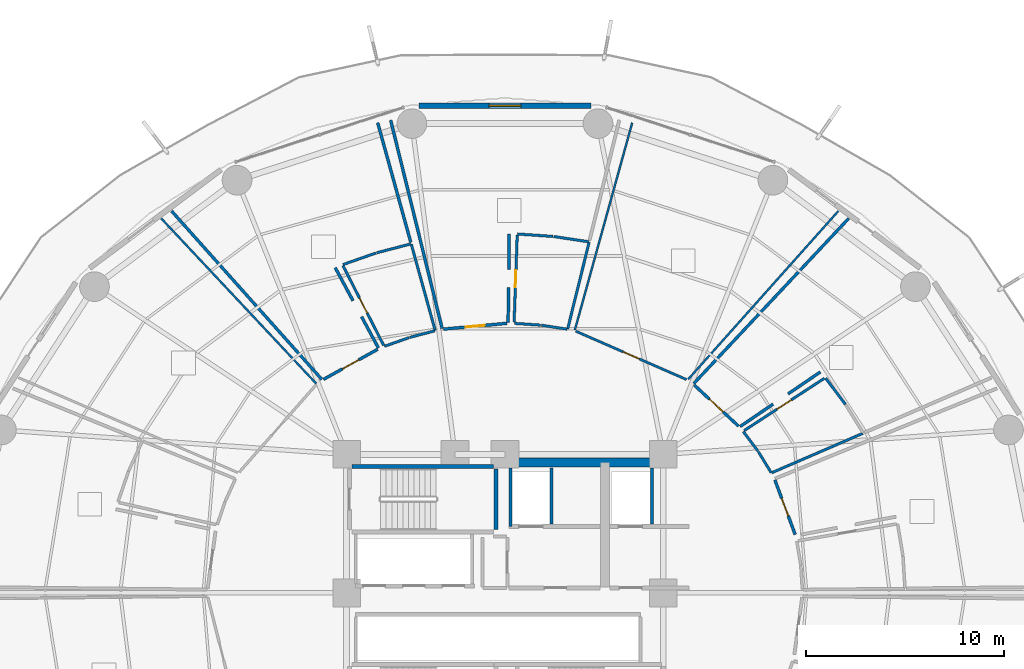
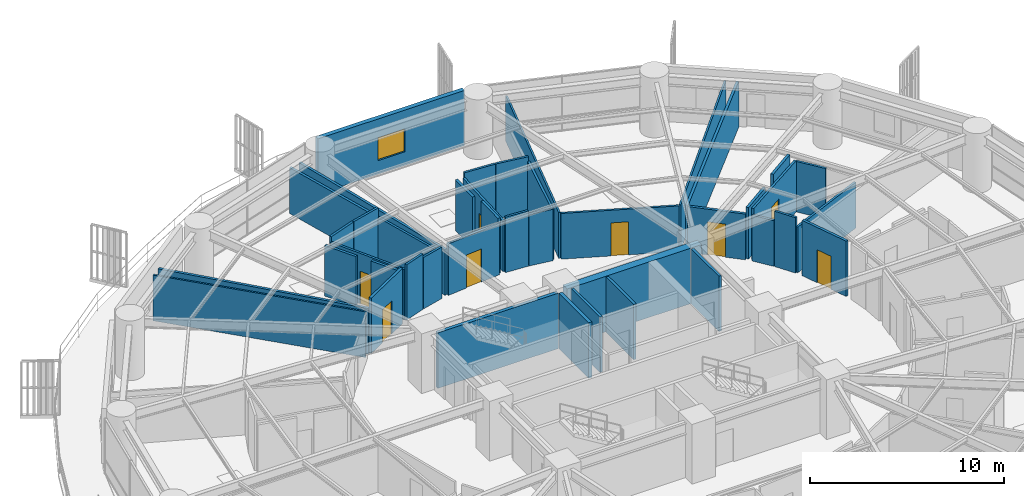
# One storey, part 27 of 34: 42 walls, 8 doors, 1 window, 9 openings.
"""IFC4 building model written with IfcOpenShell, lengths in metres."""

from ifc_helpers import new_model, si_unit, direction, frame, frame_2d, origin, place, context, subcontext, project, spatial, rectangle, extrude, material, layer, layer_set, type_object, element, fill, save


model = new_model("IFC4")

# Units and contexts
model_context = context("Model", 3, precision=1e-05, world=origin(), true_north=direction((0.0, 1.0)))
body_context = subcontext(model_context, "Body", "Model", "MODEL_VIEW")
ifc_project = project(units=[si_unit("LENGTHUNIT", "METRE"), si_unit("AREAUNIT", "SQUARE_METRE"), si_unit("VOLUMEUNIT", "CUBIC_METRE"), si_unit("PLANEANGLEUNIT", "RADIAN"), si_unit("MASSUNIT", "GRAM", prefix="KILO")], contexts=[model_context])

# Site, building, storey
site_placement = place(None, origin())
site = spatial("IfcSite", under=ifc_project, at=site_placement, CompositionType="ELEMENT")
building_placement = place(site_placement, origin())
building = spatial("IfcBuilding", under=site, at=building_placement, Name="Kelanora Arch Commons", CompositionType="ELEMENT")
storey_placement = place(building_placement, frame((0.0, 0.0, 30.0)))
storey = spatial("IfcBuildingStorey", under=building, at=storey_placement, Name="L07", CompositionType="ELEMENT", Elevation=30.0)

# Walls
ifc_material_1 = material(Name="Autoclaved aerated concrete blockwork with fire plaster", Category="masonry")
ifc_layer_1 = layer(ifc_material_1, 0.14990234375)
ifc_layer_set_1 = layer_set([ifc_layer_1], Name="Autoclaved aerated concrete blockwork with fire plaster")
wall_type_1 = type_object("IfcWallType", Name="W-COMP-150", PredefinedType="PARTITIONING", material=ifc_layer_set_1)
wall_1_placement = place(storey_placement, frame((74.280029296875, 61.35009765625, 0.0), z_axis=(0.0, 0.0, 1.0), x_axis=(0.0, 1.0, 0.0)))
element("IfcWall", 1, at=wall_1_placement, inside=storey, type_object=wall_type_1, Name="Firefighting Lift 1 West Shaft Wall L07", PredefinedType="PARTITIONING", context=body_context, shape_type="SweptSolid", body=[
    extrude(rectangle(XDim=2.969970703125, YDim=0.14990234375, at=frame_2d((1.48486328125, 0.0))), origin(), (0.0, 0.0, 1.0), 3.47998046875),
])
for number, where, z_axis, x_axis, name in (
    (2, (76.360107421875, 61.47998046875, 0.0), (0.0, 0.0, 1.0), (0.0, 1.0, 0.0), "Firefighting Lift 1 East Shaft Wall L07"),
    (3, (81.419921875, 61.47998046875, 0.0), (0.0, 0.0, 1.0), (0.0, 1.0, 0.0), "Firefighting Lift 2 East Shaft Wall L07"),
):
    element("IfcWall", number, at=place(storey_placement, frame(where, z_axis=z_axis, x_axis=x_axis)), inside=storey, type_object=wall_type_1, Name=name, PredefinedType="PARTITIONING", context=body_context, shape_type="SweptSolid", body=[
        extrude(rectangle(XDim=2.840087890625, YDim=0.14990234375, at=frame_2d((1.419921875, 0.0))), origin(), (0.0, 0.0, 1.0), 3.47998046875),
    ])

# Wall, opening, door
wall_2_placement = place(storey_placement, frame((88.6669921875, 60.9482421875, 0.0), z_axis=(0.0, 0.0, 1.0), x_axis=(-0.348640514247, 0.937256524024, 0.0)))
wall_2 = element("IfcWall", 4, at=wall_2_placement, inside=storey, type_object=wall_type_1, Name="Co-Living Studio L07-01 Entry Partition", PredefinedType="PARTITIONING", context=body_context, shape_type="SweptSolid", body=[
    extrude(rectangle(XDim=2.943115234375, YDim=0.14990234375, at=frame_2d((1.4716796875, 0.0))), origin(), (0.0, 0.0, 1.0), 3.47998046875),
])
opening_1_placement = place(wall_2_placement, frame((0.9970703125, 0.0, 0.0)))
opening_1 = element("IfcOpeningElement", 5, at=opening_1_placement, cuts=wall_2, Name="Opening D-CLU1", PredefinedType="OPENING", context=body_context, shape_type="SweptSolid", body=[
    extrude(rectangle(XDim=0.949951171875, YDim=2.080078125, at=frame_2d((0.47509765625, 1.0400390625))), frame((0.0, 0.0849609375, 0.0), z_axis=(0.0, -1.0, 0.0), x_axis=(1.0, 0.0, 0.0)), (0.0, 0.0, 1.0), 0.169921875),
])
ifc_material_2 = material(Name="Solid-core acoustic timber cluster entry fire door", Category="wood")
door_type_1 = type_object("IfcDoorType", Name="D-CLU-95", OperationType="NOTDEFINED", PredefinedType="DOOR", material=ifc_material_2)
door_1_placement = place(opening_1_placement, origin())
door_1 = element("IfcDoor", 6, at=door_1_placement, inside=storey, type_object=door_type_1, Name="Co-Living Studio L07-01 Door", OperationType="SINGLE_SWING_LEFT", OverallHeight=2.080078125, OverallWidth=0.949951171875, PredefinedType="DOOR", context=body_context, shape_type="SweptSolid", body=[
    extrude(rectangle(XDim=0.949951171875, YDim=2.080078125, at=frame_2d((0.47509765625, 1.0400390625))), frame((0.0, 0.02490234375, 0.0), z_axis=(0.0, -1.0, 0.0), x_axis=(1.0, 0.0, 0.0)), (0.0, 0.0, 1.0), 0.050048828125),
])
fill(opening_1, door_1)

wall_3_placement = place(storey_placement, frame((85.805908203125, 66.4248046875, 0.0), z_axis=(0.0, 0.0, 1.0), x_axis=(-0.7329267348, 0.680307578538, 0.0)))
wall_3 = element("IfcWall", 7, at=wall_3_placement, inside=storey, type_object=wall_type_1, Name="Co-Living Studio L07-02 Entry Partition", PredefinedType="PARTITIONING", context=body_context, shape_type="SweptSolid", body=[
    extrude(rectangle(XDim=3.06689453125, YDim=0.14990234375, at=frame_2d((1.533447265625, 0.0))), origin(), (0.0, 0.0, 1.0), 2.875),
])
opening_2_placement = place(wall_3_placement, frame((1.05908203125, 0.0, 0.0)))
opening_2 = element("IfcOpeningElement", 8, at=opening_2_placement, cuts=wall_3, Name="Opening D-CLU1", PredefinedType="OPENING", context=body_context, shape_type="SweptSolid", body=[
    extrude(rectangle(XDim=0.949951171875, YDim=2.080078125, at=frame_2d((0.47509765625, 1.0400390625))), frame((0.0, 0.0849609375, 0.0), z_axis=(0.0, -1.0, 0.0), x_axis=(1.0, 0.0, 0.0)), (0.0, 0.0, 1.0), 0.169921875),
])
door_2_placement = place(opening_2_placement, origin())
door_2 = element("IfcDoor", 9, at=door_2_placement, inside=storey, type_object=door_type_1, Name="Co-Living Studio L07-02 Door", OperationType="SINGLE_SWING_LEFT", OverallHeight=2.080078125, OverallWidth=0.949951171875, PredefinedType="DOOR", context=body_context, shape_type="SweptSolid", body=[
    extrude(rectangle(XDim=0.949951171875, YDim=2.080078125, at=frame_2d((0.47509765625, 1.0400390625))), frame((0.0, 0.02490234375, 0.0), z_axis=(0.0, -1.0, 0.0), x_axis=(1.0, 0.0, 0.0)), (0.0, 0.0, 1.0), 0.050048828125),
])
fill(opening_2, door_2)

wall_4_placement = place(storey_placement, frame((74.100341796875, 71.62353515625, 0.0), z_axis=(0.0, 0.0, 1.0), x_axis=(-0.995822031417, -0.091315287572, 0.0)))
wall_4 = element("IfcWall", 10, at=wall_4_placement, inside=storey, type_object=wall_type_1, Name="Co-Living Studio L07-04 Entry Partition", PredefinedType="PARTITIONING", context=body_context, shape_type="SweptSolid", body=[
    extrude(rectangle(XDim=3.218994140625, YDim=0.14990234375, at=frame_2d((1.609375, 0.0))), origin(), (0.0, 0.0, 1.0), 3.235107421875),
])
opening_3_placement = place(wall_4_placement, frame((1.135009765625, 0.0, 0.0)))
opening_3 = element("IfcOpeningElement", 11, at=opening_3_placement, cuts=wall_4, Name="Opening D-CLU1", PredefinedType="OPENING", context=body_context, shape_type="SweptSolid", body=[
    extrude(rectangle(XDim=0.949951171875, YDim=2.080078125, at=frame_2d((0.47509765625, 1.0400390625))), frame((0.0, 0.0849609375, 0.0), z_axis=(0.0, -1.0, 0.0), x_axis=(1.0, 0.0, 0.0)), (0.0, 0.0, 1.0), 0.169921875),
])
door_3_placement = place(opening_3_placement, origin())
door_3 = element("IfcDoor", 12, at=door_3_placement, inside=storey, type_object=door_type_1, Name="Co-Living Studio L07-04 Door", OperationType="SINGLE_SWING_RIGHT", OverallHeight=2.080078125, OverallWidth=0.949951171875, PredefinedType="DOOR", context=body_context, shape_type="SweptSolid", body=[
    extrude(rectangle(XDim=0.949951171875, YDim=2.080078125, at=frame_2d((0.47509765625, 1.0400390625))), frame((0.0, 0.02490234375, 0.0), z_axis=(0.0, -1.0, 0.0), x_axis=(1.0, 0.0, 0.0)), (0.0, 0.0, 1.0), 0.050048828125),
])
fill(opening_3, door_3)

wall_5_placement = place(storey_placement, frame((67.570556640625, 70.31298828125, 0.0), z_axis=(0.0, 0.0, 1.0), x_axis=(-0.874179278891, -0.48560332408, 0.0)))
wall_5 = element("IfcWall", 13, at=wall_5_placement, inside=storey, type_object=wall_type_1, Name="Co-Living Studio L07-05 Entry Partition", PredefinedType="PARTITIONING", context=body_context, shape_type="SweptSolid", body=[
    extrude(rectangle(XDim=3.14013671875, YDim=0.14990234375, at=frame_2d((1.570068359375, 0.0))), origin(), (0.0, 0.0, 1.0), 3.47998046875),
])
opening_4_placement = place(wall_5_placement, frame((1.094970703125, 0.0, 0.0)))
opening_4 = element("IfcOpeningElement", 14, at=opening_4_placement, cuts=wall_5, Name="Opening D-CLU1", PredefinedType="OPENING", context=body_context, shape_type="SweptSolid", body=[
    extrude(rectangle(XDim=0.949951171875, YDim=2.080078125, at=frame_2d((0.47509765625, 1.0400390625))), frame((0.0, 0.0849609375, 0.0), z_axis=(0.0, -1.0, 0.0), x_axis=(1.0, 0.0, 0.0)), (0.0, 0.0, 1.0), 0.169921875),
])
door_4_placement = place(opening_4_placement, origin())
door_4 = element("IfcDoor", 15, at=door_4_placement, inside=storey, type_object=door_type_1, Name="Co-Living Studio L07-05 Door", OperationType="SINGLE_SWING_RIGHT", OverallHeight=2.080078125, OverallWidth=0.949951171875, PredefinedType="DOOR", context=body_context, shape_type="SweptSolid", body=[
    extrude(rectangle(XDim=0.949951171875, YDim=2.080078125, at=frame_2d((0.47509765625, 1.0400390625))), frame((0.0, 0.02490234375, 0.0), z_axis=(0.0, -1.0, 0.0), x_axis=(1.0, 0.0, 0.0)), (0.0, 0.0, 1.0), 0.050048828125),
])
fill(opening_4, door_4)

# Walls
wall_6_placement = place(storey_placement, frame((83.54150390625, 68.581298828125, 0.0), z_axis=(0.0, 0.0, 1.0), x_axis=(0.684261294523, 0.729236916796, 0.0)))
element("IfcWall", 16, at=wall_6_placement, inside=storey, type_object=wall_type_1, Name="Co-Living Studio L07-02 Enclosure Partition 2", PredefinedType="PARTITIONING", context=body_context, shape_type="SweptSolid", body=[
    extrude(rectangle(XDim=11.4375, YDim=0.14990234375, at=frame_2d((5.71875, 0.0))), origin(), (0.0, 0.0, 1.0), 2.875),
])
wall_7_placement = place(storey_placement, frame((89.93896484375, 69.16552734375, 0.0), z_axis=(0.0, 0.0, 1.0), x_axis=(-0.826811291248, -0.562479411769, 0.0)))
element("IfcWall", 17, at=wall_7_placement, inside=storey, type_object=wall_type_1, Name="Co-Living Studio L07-02 Enclosure Partition 7", PredefinedType="PARTITIONING", context=body_context, shape_type="SweptSolid", body=[
    extrude(rectangle(XDim=1.970947265625, YDim=0.14990234375, at=frame_2d((0.9853515625, 0.0))), origin(), (0.0, 0.0, 1.0), 3.47998046875),
])
wall_8_placement = place(storey_placement, frame((87.548583984375, 67.539306640625, 0.0), z_axis=(0.0, 0.0, 1.0), x_axis=(-0.826867883695, -0.562396215237, 0.0)))
element("IfcWall", 18, at=wall_8_placement, inside=storey, type_object=wall_type_1, Name="Co-Living Studio L07-02 Enclosure Partition 7", PredefinedType="PARTITIONING", context=body_context, shape_type="SweptSolid", body=[
    extrude(rectangle(XDim=2.01416015625, YDim=0.14990234375, at=frame_2d((1.007080078125, 0.0))), origin(), (0.0, 0.0, 1.0), 3.235107421875),
])
wall_9_placement = place(storey_placement, frame((70.825439453125, 71.36279296875, 0.0), z_axis=(0.0, 0.0, 1.0), x_axis=(-0.239971369295, 0.970779965759, 0.0)))
element("IfcWall", 19, at=wall_9_placement, inside=storey, type_object=wall_type_1, Name="Co-Living Studio L07-04 Enclosure Partition 2", PredefinedType="PARTITIONING", context=body_context, shape_type="SweptSolid", body=[
    extrude(rectangle(XDim=10.84619140625, YDim=0.14990234375, at=frame_2d((5.423095703125, 0.0))), origin(), (0.0, 0.0, 1.0), 2.875),
])
wall_10_placement = place(storey_placement, frame((74.214599609375, 76.14599609375, 0.0), z_axis=(0.0, 0.0, 1.0), x_axis=(-0.012119496596, -0.999926556204, 0.0)))
element("IfcWall", 20, at=wall_10_placement, inside=storey, type_object=wall_type_1, Name="Co-Living Studio L07-04 Enclosure Partition 7", PredefinedType="PARTITIONING", context=body_context, shape_type="SweptSolid", body=[
    extrude(rectangle(XDim=1.79296875, YDim=0.14990234375, at=frame_2d((0.896484375, 0.0))), origin(), (0.0, 0.0, 1.0), 3.175048828125),
])
wall_11_placement = place(storey_placement, frame((74.181884765625, 73.43310546875, 0.0), z_axis=(0.0, 0.0, 1.0), x_axis=(-0.01217734225, -0.999925853419, 0.0)))
element("IfcWall", 21, at=wall_11_placement, inside=storey, type_object=wall_type_1, Name="Co-Living Studio L07-04 Enclosure Partition 7", PredefinedType="PARTITIONING", context=body_context, shape_type="SweptSolid", body=[
    extrude(rectangle(XDim=1.764404296875, YDim=0.14990234375, at=frame_2d((0.88232421875, 0.0))), origin(), (0.0, 0.0, 1.0), 3.47998046875),
])
wall_12_placement = place(storey_placement, frame((64.746337890625, 68.788818359375, 0.0), z_axis=(0.0, 0.0, 1.0), x_axis=(-0.66580890104, 0.746122313897, 0.0)))
element("IfcWall", 22, at=wall_12_placement, inside=storey, type_object=wall_type_1, Name="Co-Living Studio L07-05 Enclosure Partition 2", PredefinedType="PARTITIONING", context=body_context, shape_type="SweptSolid", body=[
    extrude(rectangle(XDim=11.3994140625, YDim=0.14990234375, at=frame_2d((5.69970703125, 0.0))), origin(), (0.0, 0.0, 1.0), 2.875),
])
wall_13_placement = place(storey_placement, frame((67.568603515625, 81.759521484375, 0.0), z_axis=(0.0, 0.0, 1.0), x_axis=(0.266691519666, -0.963781942837, 0.0)))
element("IfcWall", 23, at=wall_13_placement, inside=storey, type_object=wall_type_1, Name="Co-Living Studio L07-05 Enclosure Partition 5", PredefinedType="PARTITIONING", context=body_context, shape_type="SweptSolid", body=[
    extrude(rectangle(XDim=6.26806640625, YDim=0.14990234375, at=frame_2d((3.134033203125, 0.0))), origin(), (0.0, 0.0, 1.0), 2.875),
])
wall_14_placement = place(storey_placement, frame((65.4228515625, 74.433837890625, 0.0), z_axis=(0.0, 0.0, 1.0), x_axis=(0.473660949034, -0.880707275637, 0.0)))
element("IfcWall", 24, at=wall_14_placement, inside=storey, type_object=wall_type_1, Name="Co-Living Studio L07-05 Enclosure Partition 7", PredefinedType="PARTITIONING", context=body_context, shape_type="SweptSolid", body=[
    extrude(rectangle(XDim=1.89111328125, YDim=0.14990234375, at=frame_2d((0.945556640625, 0.0))), origin(), (0.0, 0.0, 1.0), 3.175048828125),
])
wall_15_placement = place(storey_placement, frame((66.75439453125, 71.957763671875, 0.0), z_axis=(0.0, 0.0, 1.0), x_axis=(0.473466863657, -0.880811630838, 0.0)))
element("IfcWall", 25, at=wall_15_placement, inside=storey, type_object=wall_type_1, Name="Co-Living Studio L07-05 Enclosure Partition 7", PredefinedType="PARTITIONING", context=body_context, shape_type="SweptSolid", body=[
    extrude(rectangle(XDim=1.79443359375, YDim=0.14990234375, at=frame_2d((0.897216796875, 0.0))), origin(), (0.0, 0.0, 1.0), 3.235107421875),
])
ifc_material_3 = material(Name="Concrete C60/75", Category="concrete")
ifc_layer_2 = layer(ifc_material_3, 0.449951171875)
ifc_layer_set_2 = layer_set([ifc_layer_2], Name="Concrete C60/75")
wall_type_2 = type_object("IfcWallType", Name="W-CORE-450", PredefinedType="SHEAR", material=ifc_layer_set_2)
wall_16_placement = place(storey_placement, frame((74.0, 64.60009765625, 0.0), z_axis=(0.0, 0.0, 1.0), x_axis=(1.0, 0.0, 0.0)))
element("IfcWall", 26, at=wall_16_placement, inside=storey, type_object=wall_type_2, Name="Core Shear Spine L07-CN-E", PredefinedType="SHEAR", context=body_context, shape_type="SweptSolid", body=[
    extrude(rectangle(XDim=8.0, YDim=0.449951171875, at=frame_2d((4.0, 0.0))), origin(), (0.0, 0.0, 1.0), 3.489990234375),
])

# Wall, opening, window
ifc_material_4 = material(Name="Precast concrete C40/50 with terracotta rainscreen", Category="masonry")
ifc_layer_3 = layer(ifc_material_4, 0.260009765625)
ifc_layer_set_3 = layer_set([ifc_layer_3], Name="Precast concrete C40/50 with terracotta rainscreen")
wall_type_3 = type_object("IfcWallType", Name="W-EXT-TC", PredefinedType="SOLIDWALL", material=ifc_layer_set_3)
wall_17_placement = place(storey_placement, frame((78.35595703125, 82.6201171875, 0.0), z_axis=(0.0, 0.0, 1.0), x_axis=(-1.0, 0.0, 0.0)))
wall_17 = element("IfcWall", 27, at=wall_17_placement, inside=storey, type_object=wall_type_3, Name="Terracotta Exterior Wall L07-B04", PredefinedType="SOLIDWALL", context=body_context, shape_type="SweptSolid", body=[
    extrude(rectangle(XDim=8.7119140625, YDim=0.260009765625, at=frame_2d((4.35595703125, 0.0))), origin(), (0.0, 0.0, 1.0), 3.47509765625),
])
opening_5_placement = place(wall_17_placement, frame((3.555908203125, 0.0, 0.85009765625)))
opening_5 = element("IfcOpeningElement", 28, at=opening_5_placement, cuts=wall_17, Name="Opening WN-01", PredefinedType="OPENING", context=body_context, shape_type="SweptSolid", body=[
    extrude(rectangle(XDim=1.60009765625, YDim=1.449951171875, at=frame_2d((0.800048828125, 0.72509765625))), frame((0.0, 0.14013671875, 0.0), z_axis=(0.0, -1.0, 0.0), x_axis=(1.0, 0.0, 0.0)), (0.0, 0.0, 1.0), 0.280029296875),
])
ifc_material_5 = material(Name="Terracotta-anodised aluminium frame with operable low-E glazing", Category="masonry")
window_type = type_object("IfcWindowType", Name="WIN-CL-18", PartitioningType="DOUBLE_PANEL_VERTICAL", PredefinedType="WINDOW", material=ifc_material_5)
window_placement = place(opening_5_placement, origin())
window = element("IfcWindow", 29, at=window_placement, inside=storey, type_object=window_type, Name="Co-Living Operable Window L07-B04", OverallHeight=1.449951171875, OverallWidth=1.60009765625, PartitioningType="SINGLE_PANEL", PredefinedType="WINDOW", context=body_context, shape_type="SweptSolid", body=[
    extrude(rectangle(XDim=1.60009765625, YDim=1.449951171875, at=frame_2d((0.800048828125, 0.72509765625))), frame((0.0, 0.030029296875, 0.0), z_axis=(0.0, -1.0, 0.0), x_axis=(1.0, 0.0, 0.0)), (0.0, 0.0, 1.0), 0.06005859375),
])
fill(opening_5, window)

# Walls
ifc_material_6 = material(Name="Lightweight fire-rated acoustic stud partition")
ifc_layer_4 = layer(ifc_material_6, 0.10009765625)
ifc_layer_set_4 = layer_set([ifc_layer_4], Name="Lightweight fire-rated acoustic stud partition")
wall_type_4 = type_object("IfcWallType", Name="W-PART-100", PredefinedType="PARTITIONING", material=ifc_layer_set_4)
wall_18_placement = place(storey_placement, frame((77.53369140625, 71.28857421875, 0.0), z_axis=(0.0, 0.0, 1.0), x_axis=(0.26671307518, 0.963775977875, 0.0)))
element("IfcWall", 30, at=wall_18_placement, inside=storey, type_object=wall_type_4, Name="Social Sky Lounge L07-03 Enclosure Partition 2", PredefinedType="PARTITIONING", context=body_context, shape_type="SweptSolid", body=[
    extrude(rectangle(XDim=10.864501953125, YDim=0.10009765625, at=frame_2d((5.43212890625, 0.0))), origin(), (0.0, 0.0, 1.0), 2.875),
])
wall_19_placement = place(storey_placement, frame((90.843505859375, 77.294189453125, 0.0), z_axis=(0.0, 0.0, 1.0), x_axis=(-0.66580890104, -0.746122313897, 0.0)))
element("IfcWall", 31, at=wall_19_placement, inside=storey, type_object=wall_type_4, Name="Social Sky Lounge L07-03 Enclosure Partition 4", PredefinedType="PARTITIONING", context=body_context, shape_type="SweptSolid", body=[
    extrude(rectangle(XDim=11.3994140625, YDim=0.10009765625, at=frame_2d((5.69970703125, 0.0))), origin(), (0.0, 0.0, 1.0), 2.875),
])
wall_20_placement = place(storey_placement, frame((56.63232421875, 76.921875, 0.0), z_axis=(0.0, 0.0, 1.0), x_axis=(0.684261294523, -0.729236916796, 0.0)))
element("IfcWall", 32, at=wall_20_placement, inside=storey, type_object=wall_type_4, Name="Quiet Seminar Study Room L07-06 Enclosure Partition 4", PredefinedType="PARTITIONING", context=body_context, shape_type="SweptSolid", body=[
    extrude(rectangle(XDim=11.4375, YDim=0.10009765625, at=frame_2d((5.71875, 0.0))), origin(), (0.0, 0.0, 1.0), 2.875),
])

# Wall, opening, door
ifc_material_7 = material(Name="Acoustic twin-stud fire-rated gypsum partition")
ifc_layer_5 = layer(ifc_material_7, 0.1201171875)
ifc_layer_set_5 = layer_set([ifc_layer_5], Name="Acoustic twin-stud fire-rated gypsum partition")
wall_type_5 = type_object("IfcWallType", Name="W-PART-120", PredefinedType="PARTITIONING", material=ifc_layer_set_5)
wall_21_placement = place(storey_placement, frame((83.172119140625, 68.782958984375, 0.0), z_axis=(0.0, 0.0, 1.0), x_axis=(-0.916419655578, 0.400218708797, 0.0)))
wall_21 = element("IfcWall", 33, at=wall_21_placement, inside=storey, type_object=wall_type_5, Name="Social Sky Lounge L07-03 Entry Partition", PredefinedType="PARTITIONING", context=body_context, shape_type="SweptSolid", body=[
    extrude(rectangle(XDim=6.1044921875, YDim=0.1201171875, at=frame_2d((3.05224609375, 0.0))), origin(), (0.0, 0.0, 1.0), 2.875),
])
opening_6_placement = place(wall_21_placement, frame((2.60205078125, 0.0, 0.0)))
opening_6 = element("IfcOpeningElement", 34, at=opening_6_placement, cuts=wall_21, Name="Opening D-RM1", PredefinedType="OPENING", context=body_context, shape_type="SweptSolid", body=[
    extrude(rectangle(XDim=0.89990234375, YDim=2.080078125, at=frame_2d((0.449951171875, 1.0400390625))), frame((0.0, 0.070068359375, 0.0), z_axis=(0.0, -1.0, 0.0), x_axis=(1.0, 0.0, 0.0)), (0.0, 0.0, 1.0), 0.14013671875),
])
ifc_material_8 = material(Name="Acoustic fire-rated timber study and lounge door", Category="wood")
door_type_2 = type_object("IfcDoorType", Name="D-ROOM-90", OperationType="NOTDEFINED", PredefinedType="DOOR", material=ifc_material_8)
door_5_placement = place(opening_6_placement, origin())
door_5 = element("IfcDoor", 35, at=door_5_placement, inside=storey, type_object=door_type_2, Name="Social Sky Lounge L07-03 Door", OperationType="SINGLE_SWING_RIGHT", OverallHeight=2.080078125, OverallWidth=0.89990234375, PredefinedType="DOOR", context=body_context, shape_type="SweptSolid", body=[
    extrude(rectangle(XDim=0.89990234375, YDim=2.080078125, at=frame_2d((0.449951171875, 1.0400390625))), frame((0.0, 0.02490234375, 0.0), z_axis=(0.0, -1.0, 0.0), x_axis=(1.0, 0.0, 0.0)), (0.0, 0.0, 1.0), 0.050048828125),
])
fill(opening_6, door_5)

# Walls
ifc_material_9 = material(Name="Concrete C40/50", Category="concrete")
ifc_layer_6 = layer(ifc_material_9, 0.199951171875)
ifc_layer_set_6 = layer_set([ifc_layer_6], Name="Concrete C40/50")
wall_type_6 = type_object("IfcWallType", Name="W-STAIR-200", PredefinedType="SHEAR", material=ifc_layer_set_6)
wall_22_placement = place(storey_placement, frame((73.5400390625, 61.199951171875, 0.0), z_axis=(0.0, 0.0, 1.0), x_axis=(0.0, 1.0, 0.0)))
element("IfcWall", 36, at=wall_22_placement, inside=storey, type_object=wall_type_6, Name="Stair ST-T1 Shaft Wall E L07", PredefinedType="SHEAR", context=body_context, shape_type="SweptSolid", body=[
    extrude(rectangle(XDim=3.070068359375, YDim=0.199951171875, at=frame_2d((1.53515625, 0.0))), origin(), (0.0, 0.0, 1.0), 3.489990234375),
])
wall_23_placement = place(storey_placement, frame((73.419921875, 64.389892578125, 0.0), z_axis=(0.0, 0.0, 1.0), x_axis=(-1.0, 0.0, 0.0)))
element("IfcWall", 37, at=wall_23_placement, inside=storey, type_object=wall_type_6, Name="Stair ST-T1 Shaft Wall N L07", PredefinedType="SHEAR", context=body_context, shape_type="SweptSolid", body=[
    extrude(rectangle(XDim=7.159912109375, YDim=0.199951171875, at=frame_2d((3.580078125, 0.0))), origin(), (0.0, 0.0, 1.0), 3.489990234375),
])

# Wall, opening, door
ifc_material_10 = material(Name="Moisture-resistant fire-rated cement-board plumbing wall")
ifc_layer_7 = layer(ifc_material_10, 0.1298828125)
ifc_layer_set_7 = layer_set([ifc_layer_7], Name="Moisture-resistant fire-rated cement-board plumbing wall")
wall_type_7 = type_object("IfcWallType", Name="W-WET-120", PredefinedType="PLUMBINGWALL", material=ifc_layer_set_7)
wall_24_placement = place(storey_placement, frame((86.083251953125, 66.19970703125, 0.0), z_axis=(0.0, 0.0, 1.0), x_axis=(0.837796261941, 0.545982988267, 0.0)))
wall_24 = element("IfcWall", 38, at=wall_24_placement, inside=storey, type_object=wall_type_7, Name="En-Suite Shower WC L07-02 Entry Partition", PredefinedType="PLUMBINGWALL", context=body_context, shape_type="SweptSolid", body=[
    extrude(rectangle(XDim=4.838134765625, YDim=0.1298828125, at=frame_2d((2.4189453125, 0.0))), origin(), (0.0, 0.0, 1.0), 3.235107421875),
])
opening_7_placement = place(wall_24_placement, frame((1.989013671875, 0.0, 0.0)))
opening_7 = element("IfcOpeningElement", 39, at=opening_7_placement, cuts=wall_24, Name="Opening D-BT1", PredefinedType="OPENING", context=body_context, shape_type="SweptSolid", body=[
    extrude(rectangle(XDim=0.860107421875, YDim=2.050048828125, at=frame_2d((0.43017578125, 1.02490234375))), frame((0.0, 0.074951171875, 0.0), z_axis=(0.0, -1.0, 0.0), x_axis=(1.0, 0.0, 0.0)), (0.0, 0.0, 1.0), 0.14990234375),
])
ifc_material_11 = material(Name="Moisture-sealed fire-rated accessible bathroom door")
door_type_3 = type_object("IfcDoorType", Name="D-BATH-85", OperationType="NOTDEFINED", PredefinedType="DOOR", material=ifc_material_11)
door_6_placement = place(opening_7_placement, origin())
door_6 = element("IfcDoor", 40, at=door_6_placement, inside=storey, type_object=door_type_3, Name="En-Suite Shower WC L07-02 Door", OperationType="SINGLE_SWING_RIGHT", OverallHeight=2.050048828125, OverallWidth=0.860107421875, PredefinedType="DOOR", context=body_context, shape_type="SweptSolid", body=[
    extrude(rectangle(XDim=0.860107421875, YDim=2.050048828125, at=frame_2d((0.43017578125, 1.02490234375))), frame((0.0, 0.02490234375, 0.0), z_axis=(0.0, -1.0, 0.0), x_axis=(1.0, 0.0, 0.0)), (0.0, 0.0, 1.0), 0.050048828125),
])
fill(opening_7, door_6)

wall_25_placement = place(storey_placement, frame((74.463134765625, 71.68408203125, 0.0), z_axis=(0.0, 0.0, 1.0), x_axis=(0.035428098094, 0.999372227884, 0.0)))
wall_25 = element("IfcWall", 41, at=wall_25_placement, inside=storey, type_object=wall_type_7, Name="En-Suite Shower WC L07-04 Entry Partition", PredefinedType="PLUMBINGWALL", context=body_context, shape_type="SweptSolid", body=[
    extrude(rectangle(XDim=4.396484375, YDim=0.1298828125, at=frame_2d((2.1982421875, 0.0))), origin(), (0.0, 0.0, 1.0), 3.175048828125),
])
opening_8_placement = place(wall_25_placement, frame((1.76806640625, 0.0, 0.0)))
opening_8 = element("IfcOpeningElement", 42, at=opening_8_placement, cuts=wall_25, Name="Opening D-BT1", PredefinedType="OPENING", context=body_context, shape_type="SweptSolid", body=[
    extrude(rectangle(XDim=0.860107421875, YDim=2.050048828125, at=frame_2d((0.43017578125, 1.02490234375))), frame((0.0, 0.074951171875, 0.0), z_axis=(0.0, -1.0, 0.0), x_axis=(1.0, 0.0, 0.0)), (0.0, 0.0, 1.0), 0.14990234375),
])
door_7_placement = place(opening_8_placement, origin())
door_7 = element("IfcDoor", 43, at=door_7_placement, inside=storey, type_object=door_type_3, Name="En-Suite Shower WC L07-04 Door", OperationType="SINGLE_SWING_LEFT", OverallHeight=2.050048828125, OverallWidth=0.860107421875, PredefinedType="DOOR", context=body_context, shape_type="SweptSolid", body=[
    extrude(rectangle(XDim=0.860107421875, YDim=2.050048828125, at=frame_2d((0.43017578125, 1.02490234375))), frame((0.0, 0.02490234375, 0.0), z_axis=(0.0, -1.0, 0.0), x_axis=(1.0, 0.0, 0.0)), (0.0, 0.0, 1.0), 0.050048828125),
])
fill(opening_8, door_7)

wall_26_placement = place(storey_placement, frame((67.86962890625, 70.509521484375, 0.0), z_axis=(0.0, 0.0, 1.0), x_axis=(-0.45442479933, 0.890785104138, 0.0)))
wall_26 = element("IfcWall", 44, at=wall_26_placement, inside=storey, type_object=wall_type_7, Name="En-Suite Shower WC L07-05 Entry Partition", PredefinedType="PLUMBINGWALL", context=body_context, shape_type="SweptSolid", body=[
    extrude(rectangle(XDim=4.513916015625, YDim=0.1298828125, at=frame_2d((2.2568359375, 0.0))), origin(), (0.0, 0.0, 1.0), 3.175048828125),
])
opening_9_placement = place(wall_26_placement, frame((1.826904296875, 0.0, 0.0)))
opening_9 = element("IfcOpeningElement", 45, at=opening_9_placement, cuts=wall_26, Name="Opening D-BT1", PredefinedType="OPENING", context=body_context, shape_type="SweptSolid", body=[
    extrude(rectangle(XDim=0.860107421875, YDim=2.050048828125, at=frame_2d((0.43017578125, 1.02490234375))), frame((0.0, 0.074951171875, 0.0), z_axis=(0.0, -1.0, 0.0), x_axis=(1.0, 0.0, 0.0)), (0.0, 0.0, 1.0), 0.14990234375),
])
door_8_placement = place(opening_9_placement, origin())
door_8 = element("IfcDoor", 46, at=door_8_placement, inside=storey, type_object=door_type_3, Name="En-Suite Shower WC L07-05 Door", OperationType="SINGLE_SWING_LEFT", OverallHeight=2.050048828125, OverallWidth=0.860107421875, PredefinedType="DOOR", context=body_context, shape_type="SweptSolid", body=[
    extrude(rectangle(XDim=0.860107421875, YDim=2.050048828125, at=frame_2d((0.43017578125, 1.02490234375))), frame((0.0, 0.02490234375, 0.0), z_axis=(0.0, -1.0, 0.0), x_axis=(1.0, 0.0, 0.0)), (0.0, 0.0, 1.0), 0.050048828125),
])
fill(opening_9, door_8)

# Walls
wall_27_placement = place(storey_placement, frame((87.45068359375, 64.080078125, 0.0), z_axis=(0.0, 0.0, 1.0), x_axis=(-0.52146609248, 0.853272004928, 0.0)))
element("IfcWall", 47, at=wall_27_placement, inside=storey, type_object=wall_type_7, Name="En-Suite Shower WC L07-02 Enclosure Partition 1", PredefinedType="PLUMBINGWALL", context=body_context, shape_type="SweptSolid", body=[
    extrude(rectangle(XDim=1.22802734375, YDim=0.1298828125, at=frame_2d((0.614013671875, 0.0))), origin(), (0.0, 0.0, 1.0), 3.47998046875),
])
wall_28_placement = place(storey_placement, frame((86.7880859375, 65.160888671875, 0.0), z_axis=(0.0, 0.0, 1.0), x_axis=(-0.600347056143, 0.79973959023, 0.0)))
element("IfcWall", 48, at=wall_28_placement, inside=storey, type_object=wall_type_7, Name="En-Suite Shower WC L07-02 Enclosure Partition 2", PredefinedType="PLUMBINGWALL", context=body_context, shape_type="SweptSolid", body=[
    extrude(rectangle(XDim=1.23779296875, YDim=0.1298828125, at=frame_2d((0.618896484375, 0.0))), origin(), (0.0, 0.0, 1.0), 2.875),
])
wall_29_placement = place(storey_placement, frame((90.19921875, 68.858154296875, 0.0), z_axis=(0.0, 0.0, 1.0), x_axis=(0.60376191721, -0.797164692725, 0.0)))
element("IfcWall", 49, at=wall_29_placement, inside=storey, type_object=wall_type_7, Name="En-Suite Shower WC L07-02 Enclosure Partition 4", PredefinedType="PLUMBINGWALL", context=body_context, shape_type="SweptSolid", body=[
    extrude(rectangle(XDim=1.668701171875, YDim=0.1298828125, at=frame_2d((0.83447265625, 0.0))), origin(), (0.0, 0.0, 1.0), 3.175048828125),
])
wall_30_placement = place(storey_placement, frame((92.089599609375, 66.065185546875, 0.0), z_axis=(0.0, 0.0, 1.0), x_axis=(-0.917797204715, -0.397049481826, 0.0)))
element("IfcWall", 50, at=wall_30_placement, inside=storey, type_object=wall_type_7, Name="En-Suite Shower WC L07-02 Enclosure Partition 6", PredefinedType="PLUMBINGWALL", context=body_context, shape_type="SweptSolid", body=[
    extrude(rectangle(XDim=5.02294921875, YDim=0.1298828125, at=frame_2d((2.511474609375, 0.0))), origin(), (0.0, 0.0, 1.0), 2.875),
])
wall_31_placement = place(storey_placement, frame((77.145263671875, 71.326904296875, 0.0), z_axis=(0.0, 0.0, 1.0), x_axis=(-0.988427236939, 0.151695739152, 0.0)))
element("IfcWall", 51, at=wall_31_placement, inside=storey, type_object=wall_type_7, Name="En-Suite Shower WC L07-04 Enclosure Partition 1", PredefinedType="PLUMBINGWALL", context=body_context, shape_type="SweptSolid", body=[
    extrude(rectangle(XDim=1.31982421875, YDim=0.1298828125, at=frame_2d((0.659912109375, 0.0))), origin(), (0.0, 0.0, 1.0), 3.235107421875),
])
wall_32_placement = place(storey_placement, frame((75.801025390625, 71.531494140625, 0.0), z_axis=(0.0, 0.0, 1.0), x_axis=(-0.997629018134, 0.068821088175, 0.0)))
element("IfcWall", 52, at=wall_32_placement, inside=storey, type_object=wall_type_7, Name="En-Suite Shower WC L07-04 Enclosure Partition 2", PredefinedType="PLUMBINGWALL", context=body_context, shape_type="SweptSolid", body=[
    extrude(rectangle(XDim=1.3232421875, YDim=0.1298828125, at=frame_2d((0.66162109375, 0.0))), origin(), (0.0, 0.0, 1.0), 3.47998046875),
])
wall_33_placement = place(storey_placement, frame((74.64111328125, 76.13671875, 0.0), z_axis=(0.0, 0.0, 1.0), x_axis=(0.997667905772, -0.06825503493, 0.0)))
element("IfcWall", 53, at=wall_33_placement, inside=storey, type_object=wall_type_7, Name="En-Suite Shower WC L07-04 Enclosure Partition 4", PredefinedType="PLUMBINGWALL", context=body_context, shape_type="SweptSolid", body=[
    extrude(rectangle(XDim=1.7919921875, YDim=0.1298828125, at=frame_2d((0.89599609375, 0.0))), origin(), (0.0, 0.0, 1.0), 3.47998046875),
])
wall_34_placement = place(storey_placement, frame((76.46875, 76.010009765625, 0.0), z_axis=(0.0, 0.0, 1.0), x_axis=(0.988799846431, -0.14924765894, 0.0)))
element("IfcWall", 54, at=wall_34_placement, inside=storey, type_object=wall_type_7, Name="En-Suite Shower WC L07-04 Enclosure Partition 5", PredefinedType="PLUMBINGWALL", context=body_context, shape_type="SweptSolid", body=[
    extrude(rectangle(XDim=1.78955078125, YDim=0.1298828125, at=frame_2d((0.894775390625, 0.0))), origin(), (0.0, 0.0, 1.0), 3.47998046875),
])
wall_35_placement = place(storey_placement, frame((78.253173828125, 75.720703125, 0.0), z_axis=(0.0, 0.0, 1.0), x_axis=(-0.240229117536, -0.970716215528, 0.0)))
element("IfcWall", 55, at=wall_35_placement, inside=storey, type_object=wall_type_7, Name="En-Suite Shower WC L07-04 Enclosure Partition 6", PredefinedType="PLUMBINGWALL", context=body_context, shape_type="SweptSolid", body=[
    extrude(rectangle(XDim=4.50927734375, YDim=0.1298828125, at=frame_2d((2.254638671875, 0.0))), origin(), (0.0, 0.0, 1.0), 3.175048828125),
])
wall_36_placement = place(storey_placement, frame((70.457763671875, 71.244873046875, 0.0), z_axis=(0.0, 0.0, 1.0), x_axis=(-0.967235526128, -0.253880753498, 0.0)))
element("IfcWall", 56, at=wall_36_placement, inside=storey, type_object=wall_type_7, Name="En-Suite Shower WC L07-05 Enclosure Partition 1", PredefinedType="PLUMBINGWALL", context=body_context, shape_type="SweptSolid", body=[
    extrude(rectangle(XDim=1.314453125, YDim=0.1298828125, at=frame_2d((0.6572265625, 0.0))), origin(), (0.0, 0.0, 1.0), 3.235107421875),
])
wall_37_placement = place(storey_placement, frame((69.148193359375, 70.8994140625, 0.0), z_axis=(0.0, 0.0, 1.0), x_axis=(-0.942537812533, -0.33409949408, 0.0)))
element("IfcWall", 57, at=wall_37_placement, inside=storey, type_object=wall_type_7, Name="En-Suite Shower WC L07-05 Enclosure Partition 2", PredefinedType="PLUMBINGWALL", context=body_context, shape_type="SweptSolid", body=[
    extrude(rectangle(XDim=1.307373046875, YDim=0.1298828125, at=frame_2d((0.65380859375, 0.0))), origin(), (0.0, 0.0, 1.0), 3.47998046875),
])
wall_38_placement = place(storey_placement, frame((65.809814453125, 74.590576171875, 0.0), z_axis=(0.0, 0.0, 1.0), x_axis=(0.943615101484, 0.331044619728, 0.0)))
element("IfcWall", 58, at=wall_38_placement, inside=storey, type_object=wall_type_7, Name="En-Suite Shower WC L07-05 Enclosure Partition 4", PredefinedType="PLUMBINGWALL", context=body_context, shape_type="SweptSolid", body=[
    extrude(rectangle(XDim=1.77001953125, YDim=0.1298828125, at=frame_2d((0.885009765625, 0.0))), origin(), (0.0, 0.0, 1.0), 3.47998046875),
])
wall_39_placement = place(storey_placement, frame((67.518310546875, 75.18798828125, 0.0), z_axis=(0.0, 0.0, 1.0), x_axis=(0.967790422801, 0.251757219427, 0.0)))
element("IfcWall", 59, at=wall_39_placement, inside=storey, type_object=wall_type_7, Name="En-Suite Shower WC L07-05 Enclosure Partition 5", PredefinedType="PLUMBINGWALL", context=body_context, shape_type="SweptSolid", body=[
    extrude(rectangle(XDim=1.779541015625, YDim=0.1298828125, at=frame_2d((0.8896484375, 0.0))), origin(), (0.0, 0.0, 1.0), 3.47998046875),
])
wall_40_placement = place(storey_placement, frame((69.265380859375, 75.62158203125, 0.0), z_axis=(0.0, 0.0, 1.0), x_axis=(0.267094578575, -0.963670320232, 0.0)))
element("IfcWall", 60, at=wall_40_placement, inside=storey, type_object=wall_type_7, Name="En-Suite Shower WC L07-05 Enclosure Partition 6", PredefinedType="PLUMBINGWALL", context=body_context, shape_type="SweptSolid", body=[
    extrude(rectangle(XDim=4.516357421875, YDim=0.1298828125, at=frame_2d((2.25830078125, 0.0))), origin(), (0.0, 0.0, 1.0), 2.875),
])

save(model, "model.ifc")
